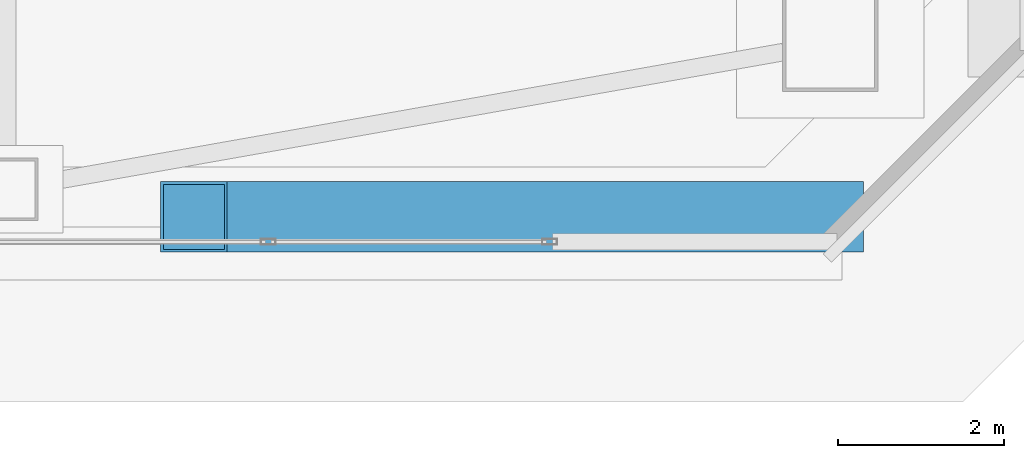
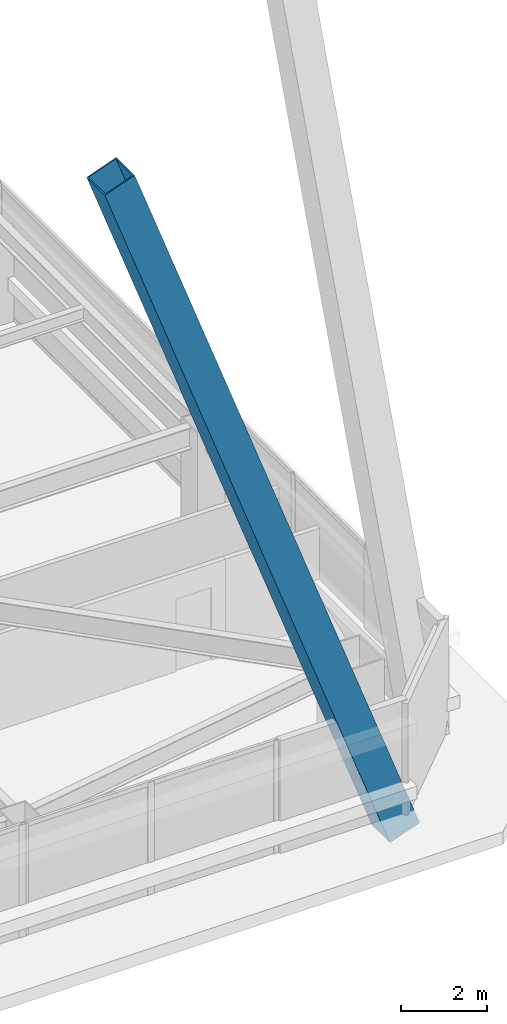
# One storey, part 10 of 65: 1 member.
"""IFC4 building model written with IfcOpenShell, lengths in metres."""

from ifc_helpers import new_model, si_unit, direction, frame, origin, origin_2d, place, context, subcontext, project, spatial, hollow_rectangle, extrude, material, material_profile, profile_set, type_object, element, save


model = new_model("IFC4")

# Units and contexts
model_context = context("Model", 3, precision=1e-05, world=origin(), true_north=direction((0.0, 1.0)))
body_context = subcontext(model_context, "Body", "Model", "MODEL_VIEW")
ifc_project = project(units=[si_unit("LENGTHUNIT", "METRE"), si_unit("AREAUNIT", "SQUARE_METRE"), si_unit("VOLUMEUNIT", "CUBIC_METRE"), si_unit("PLANEANGLEUNIT", "RADIAN"), si_unit("MASSUNIT", "GRAM", prefix="KILO")], contexts=[model_context])

# Site, building, storey
site_placement = place(None, origin())
site = spatial("IfcSite", under=ifc_project, at=site_placement, CompositionType="ELEMENT")
building_placement = place(site_placement, origin())
building = spatial("IfcBuilding", under=site, at=building_placement, Name="Tashvorn Skyway Center", CompositionType="ELEMENT")
storey_placement = place(building_placement, frame((0.0, 0.0, 157.0)))
storey = spatial("IfcBuildingStorey", under=building, at=storey_placement, Name="L42", CompositionType="ELEMENT", Elevation=157.0)

# Member
ifc_material = material(Name="Steel ASTM A572 Grade 50", Category="steel")
ifc_material_profile = material_profile(ifc_material, hollow_rectangle(XDim=0.85009765625, YDim=0.85009765625, WallThickness=0.034912109375, at=origin_2d()), Name="BOX850x850x35")
ifc_profile_set = profile_set([ifc_material_profile], Name="Steel ASTM A572 Grade 50")
member_type = type_object("IfcMemberType", Name="MEM-MB-850", PredefinedType="BRACE", material=ifc_profile_set)
member_placement = place(storey_placement, frame((57.300048828125, 14.6201171875, -0.199951171875), z_axis=(-0.341568887038, 0.0, 0.93985674196), x_axis=(0.0, -1.0, 0.0)))
element("IfcMember", 1, at=member_placement, inside=storey, type_object=member_type, Name="Tower 1 Zone 4 S Chevron Mega-Brace R1", PredefinedType="BRACE", context=body_context, shape_type="SweptSolid", body=[
    extrude(hollow_rectangle(XDim=0.85009765625, YDim=0.85009765625, WallThickness=0.034912109375, at=origin_2d()), origin(), (0.0, 0.0, 1.0), 22.39697265625),
])

save(model, "model.ifc")
